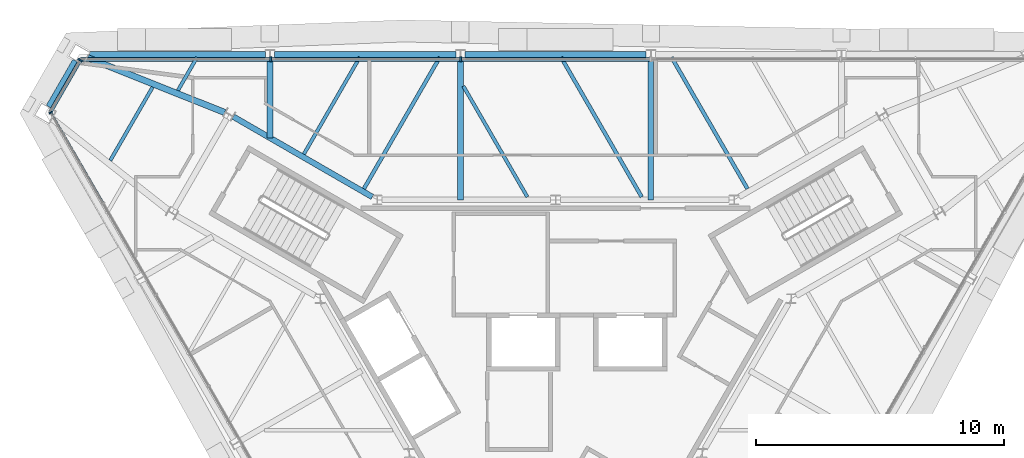
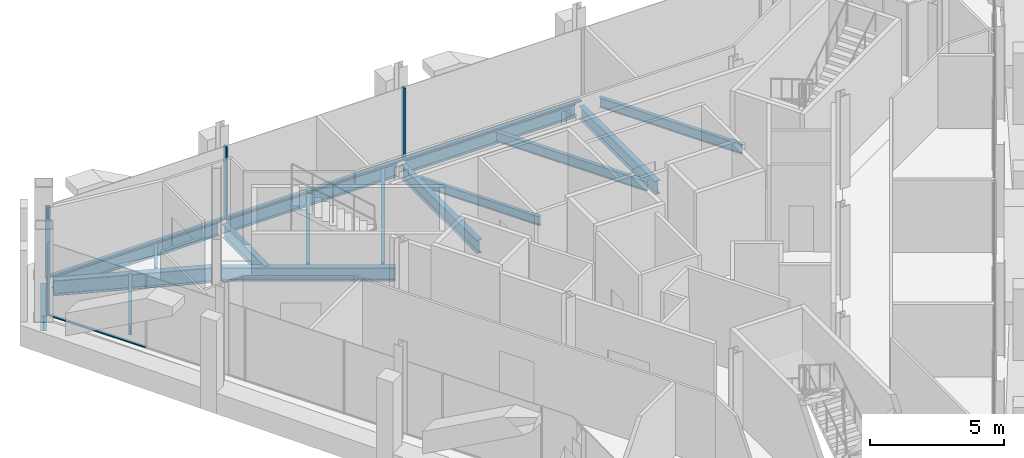
# One storey, part 6 of 13: 16 beams, 9 members, 3 elements without a shape of their own.
"""IFC4 building model written with IfcOpenShell, lengths in metres."""

from ifc_helpers import new_model, si_unit, direction, frame, origin, origin_2d, place, context, subcontext, project, spatial, rectangle, i_section, extrude, material, material_profile, profile_set, type_object, element, aggregate, save


model = new_model("IFC4")

# Units and contexts
model_context = context("Model", 3, precision=1e-05, world=origin(), true_north=direction((0.0, 1.0)))
body_context = subcontext(model_context, "Body", "Model", "MODEL_VIEW")
ifc_project = project(units=[si_unit("LENGTHUNIT", "METRE"), si_unit("AREAUNIT", "SQUARE_METRE"), si_unit("VOLUMEUNIT", "CUBIC_METRE"), si_unit("PLANEANGLEUNIT", "RADIAN"), si_unit("MASSUNIT", "GRAM", prefix="KILO")], contexts=[model_context])

# Site, building, storey
site_placement = place(None, origin())
site = spatial("IfcSite", under=ifc_project, at=site_placement, CompositionType="ELEMENT")
building_placement = place(site_placement, origin())
building = spatial("IfcBuilding", under=site, at=building_placement, Name="Verrane Prism Tower", CompositionType="ELEMENT")
storey_placement = place(building_placement, frame((0.0, 0.0, 321.0)))
storey = spatial("IfcBuildingStorey", under=building, at=storey_placement, Name="L81", CompositionType="ELEMENT", Elevation=321.0)

# Beams
ifc_material_1 = material(Name="Steel A992", Category="steel")
ifc_material_profile_1 = material_profile(ifc_material_1, i_section(OverallWidth=0.25390625, OverallDepth=0.683349609375, WebThickness=0.012451171875, FlangeThickness=0.01904296875, FilletRadius=0.01513671875, at=origin_2d()), Name="W27x94")
ifc_profile_set_1 = profile_set([ifc_material_profile_1], Name="Steel A992")
beam_type_1 = type_object("IfcBeamType", Name="Chamfer spandrel beam W27x94", PredefinedType="SPANDREL", material=ifc_profile_set_1)
beam_1_placement = place(storey_placement, frame((-19.320068359375, 12.390380859375, -0.501708984375), z_axis=(-0.500486898547, -0.865744110221, 0.0), x_axis=(0.865744110221, -0.500486898547, 0.0)))
element("IfcBeam", 1, at=beam_1_placement, inside=storey, type_object=beam_type_1, Name="Chamfer spandrel beam L81", PredefinedType="SPANDREL", context=body_context, shape_type="SweptSolid", body=[
    extrude(i_section(OverallWidth=0.25390625, OverallDepth=0.683349609375, WebThickness=0.012451171875, FlangeThickness=0.01904296875, FilletRadius=0.01513671875, at=origin_2d()), origin(), (0.0, 0.0, 1.0), 2.137451171875),
])
ifc_material_2 = material(Name="Steel A992", Category="steel")
ifc_material_profile_2 = material_profile(ifc_material_2, i_section(OverallWidth=0.228271484375, OverallDepth=0.607177734375, WebThickness=0.01123046875, FlangeThickness=0.017333984375, FilletRadius=0.0126953125, at=origin_2d()), Name="W24x76")
ifc_profile_set_2 = profile_set([ifc_material_profile_2], Name="Steel A992")
beam_type_2 = type_object("IfcBeamType", Name="Core ring girder W24x76", PredefinedType="BEAM", material=ifc_profile_set_2)
beam_2_placement = place(storey_placement, frame((-7.37939453125, 6.9150390625, -0.553466796875), z_axis=(-0.866085504117, 0.499895888719, 0.0), x_axis=(-0.499895888719, -0.866085504117, 0.0)))
element("IfcBeam", 2, at=beam_2_placement, inside=storey, type_object=beam_type_2, Name="Core ring girder L81", PredefinedType="BEAM", context=body_context, shape_type="SweptSolid", body=[
    extrude(i_section(OverallWidth=0.228271484375, OverallDepth=0.607177734375, WebThickness=0.01123046875, FlangeThickness=0.017333984375, FilletRadius=0.0126953125, at=origin_2d()), origin(), (0.0, 0.0, 1.0), 6.45849609375),
])
ifc_material_3 = material(Name="Steel A992", Category="steel")
ifc_material_profile_3 = material_profile(ifc_material_3, i_section(OverallWidth=0.25390625, OverallDepth=0.683349609375, WebThickness=0.012451171875, FlangeThickness=0.01904296875, FilletRadius=0.01513671875, at=origin_2d()), Name="W27x94")
ifc_profile_set_3 = profile_set([ifc_material_profile_3], Name="Steel A992")
beam_type_3 = type_object("IfcBeamType", Name="Corner girder W27x94", PredefinedType="BEAM", material=ifc_profile_set_3)
beam_3_placement = place(storey_placement, frame((-18.841552734375, 12.518798828125, -0.5615234375), z_axis=(0.928587103525, -0.371114525675, 0.0), x_axis=(0.371114525675, 0.928587103525, 0.0)))
element("IfcBeam", 3, at=beam_3_placement, inside=storey, type_object=beam_type_3, Name="Corner girder L81", PredefinedType="BEAM", context=body_context, shape_type="SweptSolid", body=[
    extrude(i_section(OverallWidth=0.25390625, OverallDepth=0.683349609375, WebThickness=0.012451171875, FlangeThickness=0.01904296875, FilletRadius=0.01513671875, at=origin_2d()), origin(), (0.0, 0.0, 1.0), 5.945068359375),
])
ifc_material_4 = material(Name="Steel A992", Category="steel")
ifc_material_profile_4 = material_profile(ifc_material_4, i_section(OverallWidth=0.140380859375, OverallDepth=0.40380859375, WebThickness=0.007080078125, FlangeThickness=0.01123046875, FilletRadius=0.01025390625, at=origin_2d()), Name="W16x31")
ifc_profile_set_4 = profile_set([ifc_material_profile_4], Name="Steel A992")
beam_type_4 = type_object("IfcBeamType", Name="Floor beam W16x31", PredefinedType="BEAM", material=ifc_profile_set_4)
beam_4_placement = place(storey_placement, frame((-1.140380859375, 6.9140625, -0.36181640625), z_axis=(-0.500023314225, 0.866011942892, 0.0), x_axis=(-0.866011942892, -0.500023314225, 0.0)))
element("IfcBeam", 4, at=beam_4_placement, inside=storey, type_object=beam_type_4, Name="Floor beam L81", PredefinedType="BEAM", context=body_context, shape_type="SweptSolid", body=[
    extrude(i_section(OverallWidth=0.140380859375, OverallDepth=0.40380859375, WebThickness=0.007080078125, FlangeThickness=0.01123046875, FilletRadius=0.01025390625, at=origin_2d()), origin(), (0.0, 0.0, 1.0), 5.151123046875),
])
beam_5_placement = place(storey_placement, frame((-10.135498046875, 8.635009765625, -0.36181640625), z_axis=(0.500003959331, 0.866023117852, 0.0), x_axis=(-0.866023117852, 0.500003959331, 0.0)))
element("IfcBeam", 5, at=beam_5_placement, inside=storey, type_object=beam_type_4, Name="Floor beam L81", PredefinedType="BEAM", context=body_context, shape_type="SweptSolid", body=[
    extrude(i_section(OverallWidth=0.140380859375, OverallDepth=0.40380859375, WebThickness=0.007080078125, FlangeThickness=0.01123046875, FilletRadius=0.01025390625, at=origin_2d()), origin(), (0.0, 0.0, 1.0), 4.50439453125),
])
beam_6_placement = place(storey_placement, frame((-15.201904296875, 11.20068359375, -0.36181640625), z_axis=(0.50005597947, 0.86599308161, 0.0), x_axis=(-0.86599308161, 0.50005597947, 0.0)))
element("IfcBeam", 6, at=beam_6_placement, inside=storey, type_object=beam_type_4, Name="Floor beam L81", PredefinedType="BEAM", context=body_context, shape_type="SweptSolid", body=[
    extrude(i_section(OverallWidth=0.140380859375, OverallDepth=0.40380859375, WebThickness=0.007080078125, FlangeThickness=0.01123046875, FilletRadius=0.01025390625, at=origin_2d()), origin(), (0.0, 0.0, 1.0), 1.541748046875),
])
beam_7_placement = place(storey_placement, frame((-17.925048828125, 8.380615234375, -0.36181640625), z_axis=(0.500042619005, 0.866000796292, 0.0), x_axis=(-0.866000796292, 0.500042619005, 0.0)))
element("IfcBeam", 7, at=beam_7_placement, inside=storey, type_object=beam_type_4, Name="Floor beam L81", PredefinedType="BEAM", context=body_context, shape_type="SweptSolid", body=[
    extrude(i_section(OverallWidth=0.140380859375, OverallDepth=0.40380859375, WebThickness=0.007080078125, FlangeThickness=0.01123046875, FilletRadius=0.01025390625, at=origin_2d()), origin(), (0.0, 0.0, 1.0), 3.410400390625),
])
ifc_material_5 = material(Name="Steel A992", Category="steel")
ifc_material_profile_5 = material_profile(ifc_material_5, i_section(OverallWidth=0.15234375, OverallDepth=0.449462890625, WebThickness=0.007568359375, FlangeThickness=0.0107421875, FilletRadius=0.01025390625, at=origin_2d()), Name="W18x35")
ifc_profile_set_5 = profile_set([ifc_material_profile_5], Name="Steel A992")
beam_type_5 = type_object("IfcBeamType", Name="Floor beam W18x35", PredefinedType="BEAM", material=ifc_profile_set_5)
beam_8_placement = place(storey_placement, frame((7.718994140625, 7.2421875, -0.384765625), z_axis=(-0.500009409241, 0.866019971289, 0.0), x_axis=(-0.866019971289, -0.500009409241, 0.0)))
element("IfcBeam", 8, at=beam_8_placement, inside=storey, type_object=beam_type_5, Name="Floor beam L81", PredefinedType="BEAM", context=body_context, shape_type="SweptSolid", body=[
    extrude(i_section(OverallWidth=0.15234375, OverallDepth=0.449462890625, WebThickness=0.007568359375, FlangeThickness=0.0107421875, FilletRadius=0.01025390625, at=origin_2d()), origin(), (0.0, 0.0, 1.0), 6.11279296875),
])
beam_9_placement = place(storey_placement, frame((3.46240234375, 6.9140625, -0.384765625), z_axis=(-0.499981816164, 0.866035901972, 0.0), x_axis=(-0.866035901972, -0.499981816164, 0.0)))
element("IfcBeam", 9, at=beam_9_placement, inside=storey, type_object=beam_type_5, Name="Floor beam L81", PredefinedType="BEAM", context=body_context, shape_type="SweptSolid", body=[
    extrude(i_section(OverallWidth=0.15234375, OverallDepth=0.449462890625, WebThickness=0.007568359375, FlangeThickness=0.0107421875, FilletRadius=0.01025390625, at=origin_2d()), origin(), (0.0, 0.0, 1.0), 6.491455078125),
])
beam_10_placement = place(storey_placement, frame((-7.718994140625, 7.2421875, -0.384765625), z_axis=(0.500009409241, 0.866019971289, 0.0), x_axis=(-0.866019971289, 0.500009409241, 0.0)))
element("IfcBeam", 10, at=beam_10_placement, inside=storey, type_object=beam_type_5, Name="Floor beam L81", PredefinedType="BEAM", context=body_context, shape_type="SweptSolid", body=[
    extrude(i_section(OverallWidth=0.15234375, OverallDepth=0.449462890625, WebThickness=0.007568359375, FlangeThickness=0.0107421875, FilletRadius=0.01025390625, at=origin_2d()), origin(), (0.0, 0.0, 1.0), 6.11279296875),
])

# Curtain wall, member
ifc_material_6 = material(Name="Aluminium framed insulated glazing", Category="aluminium")
curtain_wall_type_1 = type_object("IfcCurtainWallType", Name="Curtain wall CW-C 4200 module", PredefinedType="NOTDEFINED", material=ifc_material_6)
curtain_wall_1_placement = place(storey_placement, origin())
curtain_wall_1 = element("IfcCurtainWall", 11, at=curtain_wall_1_placement, inside=storey, type_object=curtain_wall_type_1, Name="Glazed curtain wall south-west face L81", PredefinedType="NOTDEFINED")
ifc_material_7 = material(Name="Aluminium alloy 6063-T6", Category="aluminium")
ifc_material_profile_6 = material_profile(ifc_material_7, rectangle(XDim=0.139892578125, YDim=0.050048828125, at=origin_2d()), Name="Mullion 50x140 aluminium")
ifc_profile_set_6 = profile_set([ifc_material_profile_6], Name="Aluminium alloy 6063-T6")
member_type_1 = type_object("IfcMemberType", Name="Mullion 50x140 aluminium", PredefinedType="MULLION", material=ifc_profile_set_6)
member_1_placement = place(storey_placement, frame((-20.32421875, 10.307861328125, 0.0), z_axis=(0.0, 0.0, 1.0), x_axis=(0.866025278644, 0.500000216749, 0.0)))
member_1 = element("IfcMember", 12, at=member_1_placement, type_object=member_type_1, Name="CW81.4 mullion 1", PredefinedType="MULLION", context=body_context, shape_type="SweptSolid", body=[
    extrude(rectangle(XDim=0.139892578125, YDim=0.050048828125, at=origin_2d()), origin(), (0.0, 0.0, 1.0), 3.296630859375),
])

# Curtain wall, members
ifc_material_8 = material(Name="Aluminium framed insulated glazing", Category="aluminium")
curtain_wall_type_2 = type_object("IfcCurtainWallType", Name="Curtain wall CW-A 8400 module", PredefinedType="NOTDEFINED", material=ifc_material_8)
curtain_wall_2_placement = place(storey_placement, origin())
curtain_wall_2 = element("IfcCurtainWall", 13, at=curtain_wall_2_placement, inside=storey, type_object=curtain_wall_type_2, Name="Glazed curtain wall north face L81", PredefinedType="NOTDEFINED")
ifc_material_9 = material(Name="Aluminium alloy 6063-T6", Category="aluminium")
ifc_material_profile_7 = material_profile(ifc_material_9, rectangle(XDim=0.199951171875, YDim=0.070068359375, at=origin_2d()), Name="Mullion 70x200 aluminium")
ifc_profile_set_7 = profile_set([ifc_material_profile_7], Name="Aluminium alloy 6063-T6")
member_type_2 = type_object("IfcMemberType", Name="Mullion 70x200 aluminium", PredefinedType="MULLION", material=ifc_profile_set_7)
member_2_placement = place(storey_placement, frame((-3.82275390625, 12.447265625, 0.0), z_axis=(0.0, 0.0, 1.0), x_axis=(0.0, -1.0, 0.0)))
member_2 = element("IfcMember", 14, at=member_2_placement, type_object=member_type_2, Name="CW81.2 mullion 4", PredefinedType="MULLION", context=body_context, shape_type="SweptSolid", body=[
    extrude(rectangle(XDim=0.199951171875, YDim=0.070068359375, at=origin_2d()), origin(), (0.0, 0.0, 1.0), 3.296630859375),
])
member_3_placement = place(storey_placement, frame((-11.468505859375, 12.447265625, 0.0), z_axis=(0.0, 0.0, 1.0), x_axis=(0.0, -1.0, 0.0)))
member_3 = element("IfcMember", 15, at=member_3_placement, type_object=member_type_2, Name="CW81.2 mullion 5", PredefinedType="MULLION", context=body_context, shape_type="SweptSolid", body=[
    extrude(rectangle(XDim=0.199951171875, YDim=0.070068359375, at=origin_2d()), origin(), (0.0, 0.0, 1.0), 3.296630859375),
])

# Curtain wall, member
curtain_wall_3_placement = place(storey_placement, origin())
curtain_wall_3 = element("IfcCurtainWall", 16, at=curtain_wall_3_placement, inside=storey, type_object=curtain_wall_type_2, Name="Glazed curtain wall north-west corner L81", PredefinedType="NOTDEFINED")
member_4_placement = place(storey_placement, frame((-19.131591796875, 12.4169921875, 0.0), z_axis=(0.0, 0.0, 1.0), x_axis=(0.866024860131, -0.500000941634, 0.0)))
member_4 = element("IfcMember", 17, at=member_4_placement, type_object=member_type_2, Name="CW81.3 mullion 1", PredefinedType="MULLION", context=body_context, shape_type="SweptSolid", body=[
    extrude(rectangle(XDim=0.199951171875, YDim=0.070068359375, at=origin_2d()), origin(), (0.0, 0.0, 1.0), 3.296630859375),
])

# Beams
ifc_material_10 = material(Name="Steel A992", Category="steel")
ifc_material_profile_8 = material_profile(ifc_material_10, i_section(OverallWidth=0.228271484375, OverallDepth=0.607177734375, WebThickness=0.01123046875, FlangeThickness=0.017333984375, FilletRadius=0.0126953125, at=origin_2d()), Name="W24x76")
ifc_profile_set_8 = profile_set([ifc_material_profile_8], Name="Steel A992")
beam_type_6 = type_object("IfcBeamType", Name="Radial girder W24x76", PredefinedType="BEAM", material=ifc_profile_set_8)
for number, where, z_axis, x_axis, name in (
    (18, (3.830078125, 12.4658203125, -0.5234375), (0.0, -1.0, 0.0), (1.0, 0.0, 0.0), "Radial girder L81"),
    (19, (-3.830078125, 12.4658203125, -0.5234375), (0.0, -1.0, 0.0), (1.0, 0.0, 0.0), "Radial girder L81"),
):
    element("IfcBeam", number, at=place(storey_placement, frame(where, z_axis=z_axis, x_axis=x_axis)), inside=storey, type_object=beam_type_6, Name=name, PredefinedType="BEAM", context=body_context, shape_type="SweptSolid", body=[
        extrude(i_section(OverallWidth=0.228271484375, OverallDepth=0.607177734375, WebThickness=0.01123046875, FlangeThickness=0.017333984375, FilletRadius=0.0126953125, at=origin_2d()), origin(), (0.0, 0.0, 1.0), 5.665771484375),
    ])
beam_11_placement = place(storey_placement, frame((-11.5, 12.4658203125, -0.5234375), z_axis=(0.0, -1.0, 0.0), x_axis=(1.0, 0.0, 0.0)))
element("IfcBeam", 20, at=beam_11_placement, inside=storey, type_object=beam_type_6, Name="Radial girder L81", PredefinedType="BEAM", context=body_context, shape_type="SweptSolid", body=[
    extrude(i_section(OverallWidth=0.228271484375, OverallDepth=0.607177734375, WebThickness=0.01123046875, FlangeThickness=0.017333984375, FilletRadius=0.0126953125, at=origin_2d()), origin(), (0.0, 0.0, 1.0), 3.17236328125),
])
ifc_material_11 = material(Name="Steel A992", Category="steel")
ifc_material_profile_9 = material_profile(ifc_material_11, i_section(OverallWidth=0.228271484375, OverallDepth=0.607177734375, WebThickness=0.01123046875, FlangeThickness=0.017333984375, FilletRadius=0.0126953125, at=origin_2d()), Name="W24x76")
ifc_profile_set_9 = profile_set([ifc_material_profile_9], Name="Steel A992")
beam_type_7 = type_object("IfcBeamType", Name="Spandrel beam W24x76", PredefinedType="SPANDREL", material=ifc_profile_set_9)
beam_12_placement = place(storey_placement, frame((3.643310546875, 12.64990234375, -0.46337890625), z_axis=(-1.0, 0.0, 0.0), x_axis=(0.0, -1.0, 0.0)))
element("IfcBeam", 21, at=beam_12_placement, inside=storey, type_object=beam_type_7, Name="Spandrel beam L81", PredefinedType="SPANDREL", context=body_context, shape_type="SweptSolid", body=[
    extrude(i_section(OverallWidth=0.228271484375, OverallDepth=0.607177734375, WebThickness=0.01123046875, FlangeThickness=0.017333984375, FilletRadius=0.0126953125, at=origin_2d()), origin(), (0.0, 0.0, 1.0), 7.28662109375),
])
beam_13_placement = place(storey_placement, frame((-4.0166015625, 12.64990234375, -0.46337890625), z_axis=(-1.0, 0.0, 0.0), x_axis=(0.0, -1.0, 0.0)))
element("IfcBeam", 22, at=beam_13_placement, inside=storey, type_object=beam_type_7, Name="Spandrel beam L81", PredefinedType="SPANDREL", context=body_context, shape_type="SweptSolid", body=[
    extrude(i_section(OverallWidth=0.228271484375, OverallDepth=0.607177734375, WebThickness=0.01123046875, FlangeThickness=0.017333984375, FilletRadius=0.0126953125, at=origin_2d()), origin(), (0.0, 0.0, 1.0), 7.296630859375),
])
beam_14_placement = place(storey_placement, frame((-11.686767578125, 12.64990234375, -0.46337890625), z_axis=(-1.0, 0.0, 0.0), x_axis=(0.0, -1.0, 0.0)))
element("IfcBeam", 23, at=beam_14_placement, inside=storey, type_object=beam_type_7, Name="Spandrel beam L81", PredefinedType="SPANDREL", context=body_context, shape_type="SweptSolid", body=[
    extrude(i_section(OverallWidth=0.228271484375, OverallDepth=0.607177734375, WebThickness=0.01123046875, FlangeThickness=0.017333984375, FilletRadius=0.0126953125, at=origin_2d()), origin(), (0.0, 0.0, 1.0), 7.0791015625),
])

# Member
ifc_material_12 = material(Name="Aluminium alloy 6063-T6", Category="aluminium")
ifc_material_profile_10 = material_profile(ifc_material_12, rectangle(XDim=0.10009765625, YDim=0.050048828125, at=origin_2d()), Name="Transom 50x100 aluminium")
ifc_profile_set_10 = profile_set([ifc_material_profile_10], Name="Aluminium alloy 6063-T6")
member_type_3 = type_object("IfcMemberType", Name="Transom 50x100 aluminium", PredefinedType="USERDEFINED", material=ifc_profile_set_10)
member_5_placement = place(storey_placement, frame((-20.3115234375, 10.286376953125, 0.02490234375), z_axis=(0.499984143151, -0.866034558547, 0.0), x_axis=(0.866034558547, 0.499984143151, 0.0)))
member_5 = element("IfcMember", 24, at=member_5_placement, type_object=member_type_3, Name="CW81.4 transom 1", ObjectType="TRANSOM", PredefinedType="USERDEFINED", context=body_context, shape_type="SweptSolid", body=[
    extrude(rectangle(XDim=0.10009765625, YDim=0.050048828125, at=origin_2d()), origin(), (0.0, 0.0, 1.0), 4.172607421875),
])

aggregate(curtain_wall_1, [member_1, member_5])

ifc_material_13 = material(Name="Aluminium alloy 6063-T6", Category="aluminium")
ifc_material_profile_11 = material_profile(ifc_material_13, rectangle(XDim=0.14990234375, YDim=0.070068359375, at=origin_2d()), Name="Transom 70x150 aluminium")
ifc_profile_set_11 = profile_set([ifc_material_profile_11], Name="Aluminium alloy 6063-T6")
member_type_4 = type_object("IfcMemberType", Name="Transom 70x150 aluminium", PredefinedType="USERDEFINED", material=ifc_profile_set_11)
member_6_placement = place(storey_placement, frame((3.787841796875, 12.447265625, 0.034912109375), z_axis=(-1.0, 0.0, 0.0), x_axis=(0.0, -1.0, 0.0)))
member_6 = element("IfcMember", 25, at=member_6_placement, type_object=member_type_4, Name="CW81.2 transom 3", ObjectType="TRANSOM", PredefinedType="USERDEFINED", context=body_context, shape_type="SweptSolid", body=[
    extrude(rectangle(XDim=0.14990234375, YDim=0.070068359375, at=origin_2d()), origin(), (0.0, 0.0, 1.0), 7.57568359375),
])

member_7_placement = place(storey_placement, frame((-3.85791015625, 12.447265625, 0.034912109375), z_axis=(-1.0, 0.0, 0.0), x_axis=(0.0, -1.0, 0.0)))
member_7 = element("IfcMember", 26, at=member_7_placement, type_object=member_type_4, Name="CW81.2 transom 4", ObjectType="TRANSOM", PredefinedType="USERDEFINED", context=body_context, shape_type="SweptSolid", body=[
    extrude(rectangle(XDim=0.14990234375, YDim=0.070068359375, at=origin_2d()), origin(), (0.0, 0.0, 1.0), 7.575439453125),
])

member_8_placement = place(storey_placement, frame((-11.50341796875, 12.447265625, 0.034912109375), z_axis=(-1.0, 0.0, 0.0), x_axis=(0.0, -1.0, 0.0)))
member_8 = element("IfcMember", 27, at=member_8_placement, type_object=member_type_4, Name="CW81.2 transom 5", ObjectType="TRANSOM", PredefinedType="USERDEFINED", context=body_context, shape_type="SweptSolid", body=[
    extrude(rectangle(XDim=0.14990234375, YDim=0.070068359375, at=origin_2d()), origin(), (0.0, 0.0, 1.0), 7.610595703125),
])

aggregate(curtain_wall_2, [member_2, member_3, member_6, member_7, member_8])

member_9_placement = place(storey_placement, frame((-19.14892578125, 12.386474609375, 0.034912109375), z_axis=(-0.500063520245, -0.865988727248, 0.0), x_axis=(0.865988727248, -0.500063520245, 0.0)))
member_9 = element("IfcMember", 28, at=member_9_placement, type_object=member_type_4, Name="CW81.3 transom 1", ObjectType="TRANSOM", PredefinedType="USERDEFINED", context=body_context, shape_type="SweptSolid", body=[
    extrude(rectangle(XDim=0.14990234375, YDim=0.070068359375, at=origin_2d()), origin(), (0.0, 0.0, 1.0), 2.375244140625),
])

aggregate(curtain_wall_3, [member_4, member_9])

save(model, "model.ifc")
